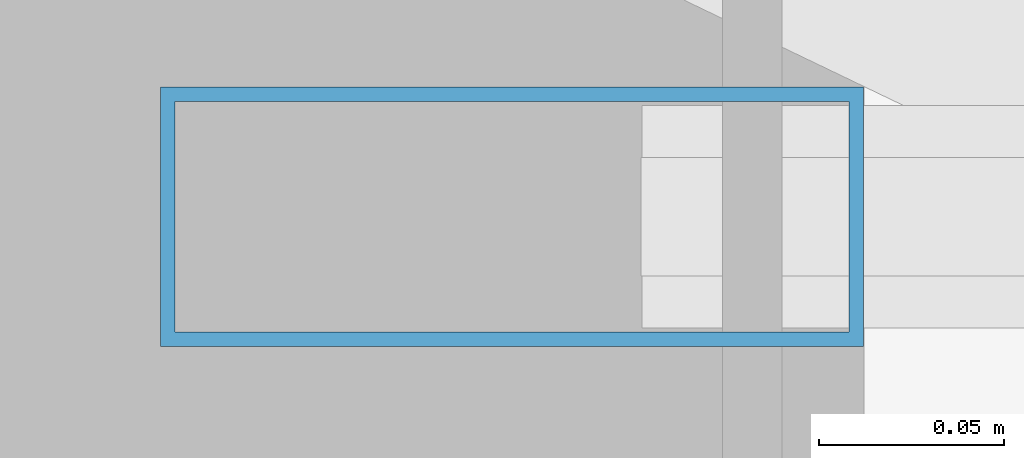
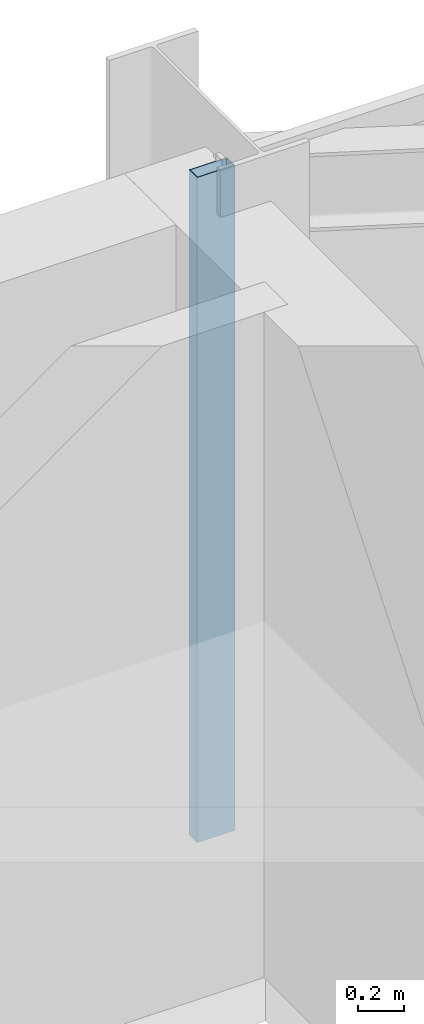
# One storey, part 23 of 30: 1 member, 1 element without a shape of its own.
"""IFC4 building model written with IfcOpenShell, lengths in metres."""

from ifc_helpers import new_model, si_unit, direction, frame, origin, origin_2d, place, context, subcontext, project, spatial, hollow_rectangle, extrude, source, transform, mapped, material, layer, layer_set, material_profile, profile_set, type_object, type_shapes, element, aggregate, save


model = new_model("IFC4")

# Units and contexts
model_context = context("Model", 3, precision=1e-05, world=origin(), true_north=direction((0.0, 1.0)))
body_context = subcontext(model_context, "Body", "Model", "MODEL_VIEW")
ifc_project = project(units=[si_unit("LENGTHUNIT", "METRE"), si_unit("AREAUNIT", "SQUARE_METRE"), si_unit("VOLUMEUNIT", "CUBIC_METRE"), si_unit("PLANEANGLEUNIT", "RADIAN"), si_unit("MASSUNIT", "GRAM", prefix="KILO")], contexts=[model_context])

# Site, building, storey
site_placement = place(None, origin())
site = spatial("IfcSite", under=ifc_project, at=site_placement, CompositionType="ELEMENT")
building_placement = place(site_placement, origin())
building = spatial("IfcBuilding", under=site, at=building_placement, Name="Varnel Quay Broadcast Tower", CompositionType="ELEMENT")
storey_placement = place(building_placement, frame((0.0, 0.0, 122.0)))
storey = spatial("IfcBuildingStorey", under=building, at=storey_placement, Name="L29", CompositionType="ELEMENT", Elevation=122.0)

# Curtain wall, member
ifc_material = material(Name="Anodised Bronze Aluminium 6063-T6", Category="aluminium")
ifc_layer = layer(ifc_material, 0.18994140625, Name="Anodised Bronze Aluminium 6063-T6")
ifc_layer_set = layer_set([ifc_layer], Name="Anodised Bronze Aluminium 6063-T6")
curtain_wall_type = type_object("IfcCurtainWallType", Name="CW_LowerTower", PredefinedType="NOTDEFINED", material=ifc_layer_set)
curtain_wall_placement = place(storey_placement, origin())
curtain_wall = element("IfcCurtainWall", 1, at=curtain_wall_placement, inside=storey, type_object=curtain_wall_type, Name="L29 NE Wing Curtain Wall", PredefinedType="NOTDEFINED")
ifc_material_profile = material_profile(ifc_material, hollow_rectangle(XDim=0.070068359375, YDim=0.18994140625, WallThickness=0.00390625, at=origin_2d()), Name="ALU70X190X4")
ifc_profile_set = profile_set([ifc_material_profile], Name="Anodised Bronze Aluminium 6063-T6")
member_type = type_object("IfcMemberType", Name="Mull_CWS-02", PredefinedType="MULLION", material=ifc_profile_set)
shared_shape = source(origin(), body_context, "Body", "SweptSolid", [
    extrude(hollow_rectangle(XDim=0.070068359375, YDim=0.18994140625, WallThickness=0.00390625, at=origin_2d()), origin(), (0.0, 0.0, 1.0), 3.550048828125),
])
type_shapes(member_type, [shared_shape])
member_placement = place(storey_placement, frame((52.3349609375, 46.64990234375, 0.0), z_axis=(0.0, 0.0, 1.0), x_axis=(0.0, 1.0, 0.0)))
member = element("IfcMember", 2, at=member_placement, type_object=member_type, Name="CWS-02 mullion 1", PredefinedType="MULLION", context=body_context, shape_type="MappedRepresentation", body=[
    mapped(shared_shape, transform((0.0, 0.0, 0.0), x_axis=(1.0, 0.0, 0.0), y_axis=(0.0, 1.0, 0.0), z_axis=(0.0, 0.0, 1.0), scale=1.0)),
])
aggregate(curtain_wall, [member])

save(model, "model.ifc")
